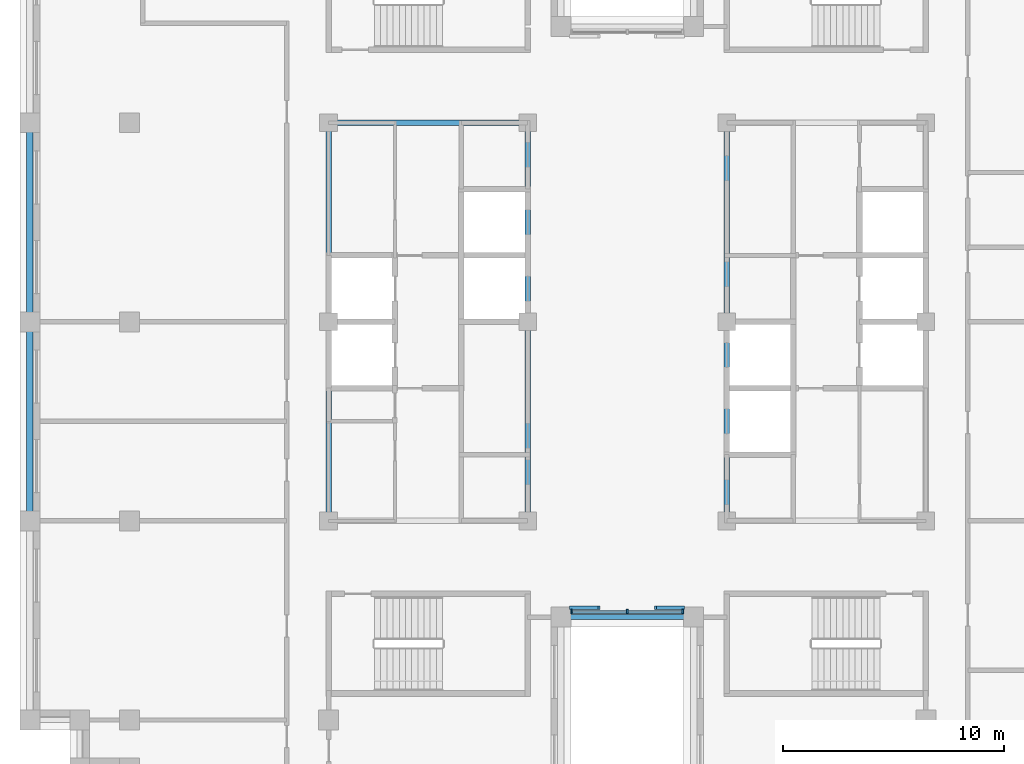
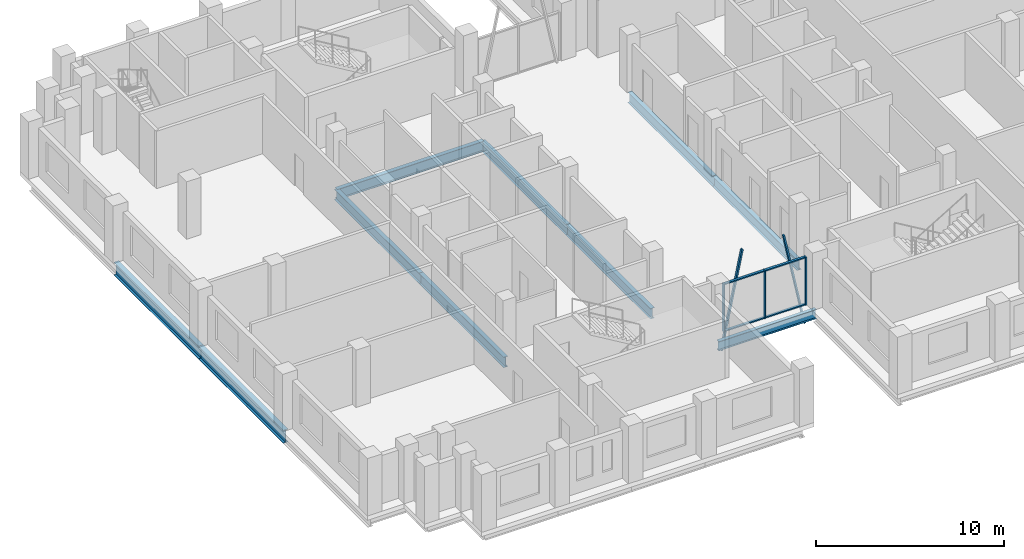
# One storey, part 2 of 13: 10 beams, 9 members, 1 element without a shape of its own.
"""IFC4 building model written with IfcOpenShell, lengths in metres."""

from ifc_helpers import new_model, si_unit, direction, frame, origin, origin_2d, place, context, subcontext, project, spatial, rectangle, i_section, extrude, material, layer, layer_set, material_profile, profile_set, type_object, element, aggregate, save


model = new_model("IFC4")

# Units and contexts
model_context = context("Model", 3, precision=1e-05, world=origin(), true_north=direction((0.0, 1.0)))
body_context = subcontext(model_context, "Body", "Model", "MODEL_VIEW")
ifc_project = project(units=[si_unit("LENGTHUNIT", "METRE"), si_unit("AREAUNIT", "SQUARE_METRE"), si_unit("VOLUMEUNIT", "CUBIC_METRE"), si_unit("PLANEANGLEUNIT", "RADIAN"), si_unit("MASSUNIT", "GRAM", prefix="KILO")], contexts=[model_context])

# Site, building, storey
site_placement = place(None, origin())
site = spatial("IfcSite", under=ifc_project, at=site_placement, CompositionType="ELEMENT")
building_placement = place(site_placement, origin())
building = spatial("IfcBuilding", under=site, at=building_placement, Name="Corbelhall Arena Tower", CompositionType="ELEMENT")
storey_placement = place(building_placement, frame((0.0, 0.0, 286.0)))
storey = spatial("IfcBuildingStorey", under=building, at=storey_placement, Name="L62", CompositionType="ELEMENT", Elevation=286.0)

# Curtain wall, members
ifc_material_1 = material(Name="Aluminium black anodised", Category="aluminium")
ifc_layer = layer(ifc_material_1, 0.199951171875)
ifc_layer_set = layer_set([ifc_layer], Name="EV-CW1 Slot back wall")
curtain_wall_type = type_object("IfcCurtainWallType", Name="EV-CW1 Slot back wall", PredefinedType="NOTDEFINED", material=ifc_layer_set)
curtain_wall_placement = place(storey_placement, origin())
curtain_wall = element("IfcCurtainWall", 1, at=curtain_wall_placement, inside=storey, type_object=curtain_wall_type, Name="Curtain wall CW1", PredefinedType="NOTDEFINED")
ifc_material_profile_1 = material_profile(ifc_material_1, rectangle(XDim=0.199951171875, YDim=0.074951171875, at=origin_2d()))
ifc_profile_set_1 = profile_set([ifc_material_profile_1], Name="Aluminium black anodised")
member_type_1 = type_object("IfcMemberType", Name="EV-CW1-MULLION", PredefinedType="MULLION", material=ifc_profile_set_1)
member_1_placement = place(storey_placement, frame((-2.512451171875, -13.10009765625, 0.0), z_axis=(0.0, 0.0, 1.0), x_axis=(0.0, 1.0, 0.0)))
member_1 = element("IfcMember", 2, at=member_1_placement, type_object=member_type_1, Name="CW1 mullion 1", PredefinedType="MULLION", context=body_context, shape_type="SweptSolid", body=[
    extrude(rectangle(XDim=0.199951171875, YDim=0.074951171875, at=origin_2d()), origin(), (0.0, 0.0, 1.0), 3.1201171875),
])
member_2_placement = place(storey_placement, frame((0.0, -13.10009765625, 0.0), z_axis=(0.0, 0.0, 1.0), x_axis=(0.0, 1.0, 0.0)))
member_2 = element("IfcMember", 3, at=member_2_placement, type_object=member_type_1, Name="CW1 mullion 2", PredefinedType="MULLION", context=body_context, shape_type="SweptSolid", body=[
    extrude(rectangle(XDim=0.199951171875, YDim=0.074951171875, at=origin_2d()), origin(), (0.0, 0.0, 1.0), 3.1201171875),
])
member_3_placement = place(storey_placement, frame((2.512451171875, -13.10009765625, 0.0), z_axis=(0.0, 0.0, 1.0), x_axis=(0.0, 1.0, 0.0)))
member_3 = element("IfcMember", 4, at=member_3_placement, type_object=member_type_1, Name="CW1 mullion 3", PredefinedType="MULLION", context=body_context, shape_type="SweptSolid", body=[
    extrude(rectangle(XDim=0.199951171875, YDim=0.074951171875, at=origin_2d()), origin(), (0.0, 0.0, 1.0), 3.1201171875),
])
ifc_material_profile_2 = material_profile(ifc_material_1, rectangle(XDim=0.14990234375, YDim=0.074951171875, at=origin_2d()))
ifc_profile_set_2 = profile_set([ifc_material_profile_2], Name="Aluminium black anodised")
member_type_2 = type_object("IfcMemberType", Name="EV-CW1-TRANSOM", PredefinedType="USERDEFINED", material=ifc_profile_set_2)
member_4_placement = place(storey_placement, frame((-2.47509765625, -13.10009765625, 0.03759765625), z_axis=(1.0, 0.0, 0.0), x_axis=(0.0, 1.0, 0.0)))
member_4 = element("IfcMember", 5, at=member_4_placement, type_object=member_type_2, Name="CW1 transom 1.1", ObjectType="transom", PredefinedType="USERDEFINED", context=body_context, shape_type="SweptSolid", body=[
    extrude(rectangle(XDim=0.14990234375, YDim=0.074951171875, at=origin_2d()), origin(), (0.0, 0.0, 1.0), 2.4375),
])
member_5_placement = place(storey_placement, frame((-2.47509765625, -13.10009765625, 3.08251953125), z_axis=(1.0, 0.0, 0.0), x_axis=(0.0, 1.0, 0.0)))
member_5 = element("IfcMember", 6, at=member_5_placement, type_object=member_type_2, Name="CW1 transom 1.2", ObjectType="transom", PredefinedType="USERDEFINED", context=body_context, shape_type="SweptSolid", body=[
    extrude(rectangle(XDim=0.14990234375, YDim=0.074951171875, at=origin_2d()), origin(), (0.0, 0.0, 1.0), 2.4375),
])
member_6_placement = place(storey_placement, frame((0.03759765625, -13.10009765625, 0.03759765625), z_axis=(1.0, 0.0, 0.0), x_axis=(0.0, 1.0, 0.0)))
member_6 = element("IfcMember", 7, at=member_6_placement, type_object=member_type_2, Name="CW1 transom 2.1", ObjectType="transom", PredefinedType="USERDEFINED", context=body_context, shape_type="SweptSolid", body=[
    extrude(rectangle(XDim=0.14990234375, YDim=0.074951171875, at=origin_2d()), origin(), (0.0, 0.0, 1.0), 2.4375),
])
member_7_placement = place(storey_placement, frame((0.03759765625, -13.10009765625, 3.08251953125), z_axis=(1.0, 0.0, 0.0), x_axis=(0.0, 1.0, 0.0)))
member_7 = element("IfcMember", 8, at=member_7_placement, type_object=member_type_2, Name="CW1 transom 2.2", ObjectType="transom", PredefinedType="USERDEFINED", context=body_context, shape_type="SweptSolid", body=[
    extrude(rectangle(XDim=0.14990234375, YDim=0.074951171875, at=origin_2d()), origin(), (0.0, 0.0, 1.0), 2.4375),
])
aggregate(curtain_wall, [member_1, member_2, member_3, member_4, member_5, member_6, member_7])

# Members
ifc_material_profile_3 = material_profile(ifc_material_1, rectangle(XDim=0.159912109375, YDim=0.10009765625, at=origin_2d()))
ifc_profile_set_3 = profile_set([ifc_material_profile_3], Name="Aluminium black anodised")
member_type_3 = type_object("IfcMemberType", Name="EV-TR1 Tracery bar", PredefinedType="USERDEFINED", material=ifc_profile_set_3)
for number, where, z_axis, x_axis, name in (
    (9, (-2.550048828125, -12.919921875, -1.307373046875), (0.204144671158, 0.0, 0.978940730197), (0.0, 1.0, 0.0), "Tracery bar"),
    (10, (1.27490234375, -12.919921875, 4.807373046875), (0.204144671158, 0.0, -0.978940730197), (0.0, 1.0, 0.0), "Tracery bar"),
):
    element("IfcMember", number, at=place(storey_placement, frame(where, z_axis=z_axis, x_axis=x_axis)), inside=storey, type_object=member_type_3, Name=name, ObjectType="TRACERY", PredefinedType="USERDEFINED", context=body_context, shape_type="SweptSolid", body=[
        extrude(rectangle(XDim=0.159912109375, YDim=0.10009765625, at=origin_2d()), origin(), (0.0, 0.0, 1.0), 6.246337890625),
    ])

# Beams
ifc_material_2 = material(Name="Steel ASTM A992 Gr50", Category="steel")
ifc_material_profile_4 = material_profile(ifc_material_2, i_section(OverallWidth=0.25390625, OverallDepth=0.67822265625, WebThickness=0.01171875, FlangeThickness=0.016357421875, at=origin_2d()))
ifc_profile_set_4 = profile_set([ifc_material_profile_4], Name="Steel ASTM A992 Gr50")
beam_type_1 = type_object("IfcBeamType", Name="ST-BEAM-W27x84", PredefinedType="BEAM", material=ifc_profile_set_4)
for number, where, z_axis, x_axis, name in (
    (11, (-13.5, -9.0, -0.619140625), (0.0, 1.0, 0.0), (-1.0, 0.0, 0.0), "Beam CEW 1"),
    (12, (-13.5, 0.0, -0.619140625), (0.0, 1.0, 0.0), (-1.0, 0.0, 0.0), "Beam CEW 2"),
    (13, (-4.5, -9.0, -0.619140625), (0.0, 1.0, 0.0), (-1.0, 0.0, 0.0), "Beam CEW 3"),
    (14, (-4.5, 0.0, -0.619140625), (0.0, 1.0, 0.0), (-1.0, 0.0, 0.0), "Beam CEW 4"),
    (15, (-13.5, 9.0, -0.619140625), (1.0, 0.0, 0.0), (0.0, 1.0, 0.0), "Beam CEW 6"),
    (16, (4.5, -9.0, -0.619140625), (0.0, 1.0, 0.0), (-1.0, 0.0, 0.0), "Beam CEE 7"),
    (17, (4.5, 0.0, -0.619140625), (0.0, 1.0, 0.0), (-1.0, 0.0, 0.0), "Beam CEE 8"),
):
    element("IfcBeam", number, at=place(storey_placement, frame(where, z_axis=z_axis, x_axis=x_axis)), inside=storey, type_object=beam_type_1, Name=name, PredefinedType="BEAM", context=body_context, shape_type="SweptSolid", body=[
        extrude(i_section(OverallWidth=0.25390625, OverallDepth=0.67822265625, WebThickness=0.01171875, FlangeThickness=0.016357421875, at=origin_2d()), origin(), (0.0, 0.0, 1.0), 9.0),
    ])
ifc_material_profile_5 = material_profile(ifc_material_2, i_section(OverallWidth=0.227783203125, OverallDepth=0.60205078125, WebThickness=0.010498046875, FlangeThickness=0.014892578125, at=origin_2d()))
ifc_profile_set_5 = profile_set([ifc_material_profile_5], Name="Steel ASTM A992 Gr50")
beam_type_2 = type_object("IfcBeamType", Name="ST-SPANDREL-W24x68", PredefinedType="SPANDREL", material=ifc_profile_set_5)
beam_placement = place(storey_placement, frame((3.0, -13.35009765625, -0.5810546875), z_axis=(-1.0, 0.0, 0.0), x_axis=(0.0, -1.0, 0.0)))
element("IfcBeam", 18, at=beam_placement, inside=storey, type_object=beam_type_2, Name="Beam SP 33", PredefinedType="SPANDREL", context=body_context, shape_type="SweptSolid", body=[
    extrude(i_section(OverallWidth=0.227783203125, OverallDepth=0.60205078125, WebThickness=0.010498046875, FlangeThickness=0.014892578125, at=origin_2d()), origin(), (0.0, 0.0, 1.0), 6.0),
])
ifc_material_profile_6 = material_profile(ifc_material_2, i_section(OverallWidth=0.2919921875, OverallDepth=0.845703125, WebThickness=0.015380859375, FlangeThickness=0.0244140625, at=origin_2d()))
ifc_profile_set_6 = profile_set([ifc_material_profile_6], Name="Steel ASTM A992 Gr50")
beam_type_3 = type_object("IfcBeamType", Name="ST-SPANDREL-W33x141", PredefinedType="SPANDREL", material=ifc_profile_set_6)
for number, where, z_axis, x_axis, name in (
    (19, (-27.0, 0.0, -0.702880859375), (0.0, 1.0, 0.0), (-1.0, 0.0, 0.0), "Beam SP 26"),
    (20, (-27.0, -9.0, -0.702880859375), (0.0, 1.0, 0.0), (-1.0, 0.0, 0.0), "Beam SP 29"),
):
    element("IfcBeam", number, at=place(storey_placement, frame(where, z_axis=z_axis, x_axis=x_axis)), inside=storey, type_object=beam_type_3, Name=name, PredefinedType="SPANDREL", context=body_context, shape_type="SweptSolid", body=[
        extrude(i_section(OverallWidth=0.2919921875, OverallDepth=0.845703125, WebThickness=0.015380859375, FlangeThickness=0.0244140625, at=origin_2d()), origin(), (0.0, 0.0, 1.0), 9.0),
    ])

save(model, "model.ifc")
